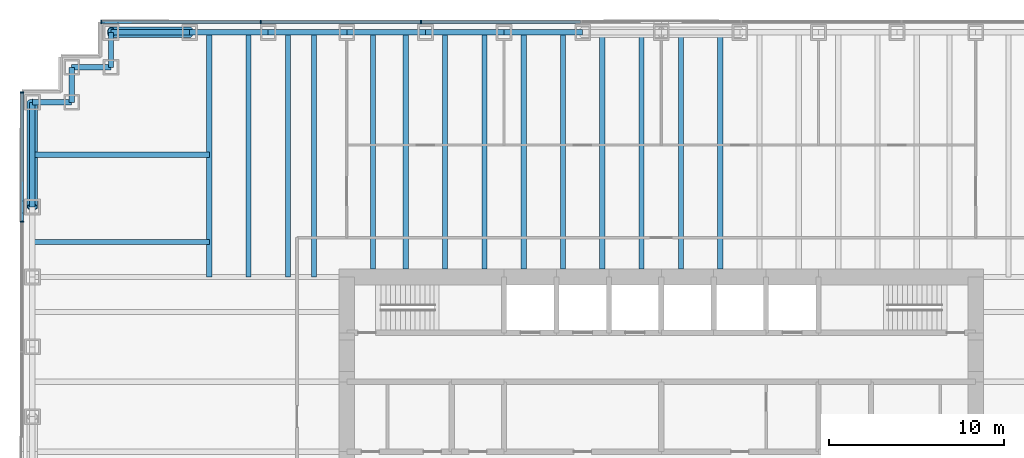
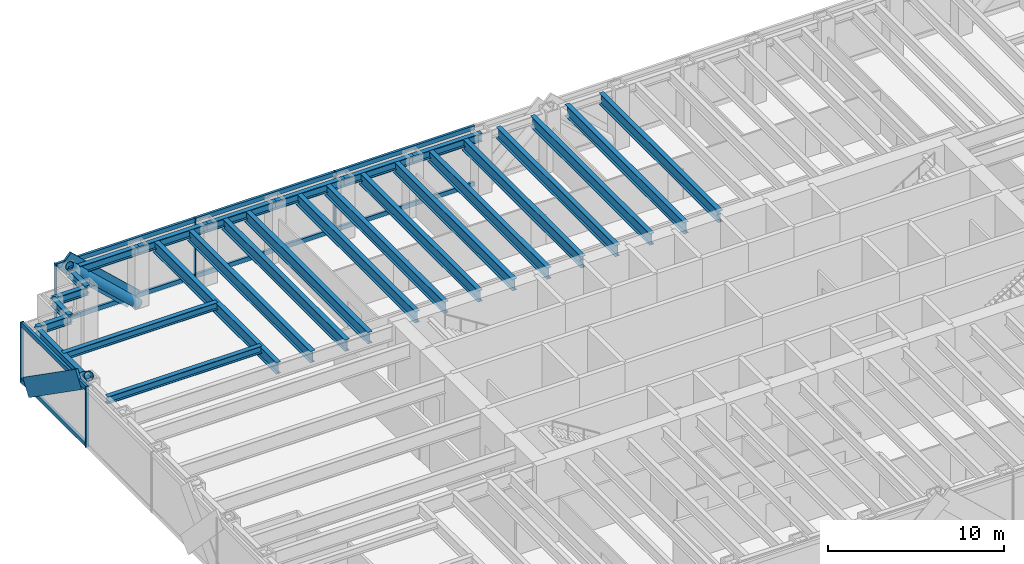
# One storey, part 6 of 17: 27 beams, 17 members, 2 elements without a shape of their own.
"""IFC4 building model written with IfcOpenShell, lengths in metres."""

from ifc_helpers import new_model, si_unit, direction, frame, origin, origin_2d, place, context, subcontext, project, spatial, rectangle, hollow_circle, i_section, extrude, material, material_profile, profile_set, type_object, element, aggregate, save


model = new_model("IFC4")

# Units and contexts
model_context = context("Model", 3, precision=1e-05, world=origin(), true_north=direction((0.0, 1.0)))
body_context = subcontext(model_context, "Body", "Model", "MODEL_VIEW")
ifc_project = project(units=[si_unit("LENGTHUNIT", "METRE"), si_unit("AREAUNIT", "SQUARE_METRE"), si_unit("VOLUMEUNIT", "CUBIC_METRE"), si_unit("PLANEANGLEUNIT", "RADIAN"), si_unit("MASSUNIT", "GRAM", prefix="KILO")], contexts=[model_context])

# Site, building, storey
site_placement = place(None, origin())
site = spatial("IfcSite", under=ifc_project, at=site_placement, CompositionType="ELEMENT")
building_placement = place(site_placement, origin())
building = spatial("IfcBuilding", under=site, at=building_placement, Name="Rheinbord Bourse Tower", CompositionType="ELEMENT")
storey_placement = place(building_placement, frame((0.0, 0.0, 121.5)))
storey = spatial("IfcBuildingStorey", under=building, at=storey_placement, Name="L26", CompositionType="ELEMENT", Elevation=121.5)

# Curtain wall, member
ifc_material_1 = material(Name="Dark glass and black aluminium", Category="aluminium")
curtain_wall_type = type_object("IfcCurtainWallType", Name="CW2 DARK GLASS CURTAIN WALL", PredefinedType="USERDEFINED", material=ifc_material_1)
curtain_wall_1_placement = place(storey_placement, origin())
curtain_wall_1 = element("IfcCurtainWall", 1, at=curtain_wall_1_placement, inside=storey, type_object=curtain_wall_type, Name="Curtain wall CW2 N L26", ObjectType="UNITISED CURTAIN WALL", PredefinedType="USERDEFINED")
ifc_material_2 = material(Name="Black anodised aluminium", Category="aluminium")
ifc_material_profile_1 = material_profile(ifc_material_2, rectangle(XDim=0.159912109375, YDim=1.2099609375, at=origin_2d()), Name="CW2 DIAGONAL MULLION 1210x160")
ifc_profile_set_1 = profile_set([ifc_material_profile_1], Name="Black anodised aluminium")
member_type_1 = type_object("IfcMemberType", Name="CW2 BLACK DIAGONAL MULLION", PredefinedType="USERDEFINED", material=ifc_profile_set_1)
member_1_placement = place(storey_placement, frame((9.0, 46.60009765625, 0.0), z_axis=(-0.73105922506, 0.0, 0.682314010889), x_axis=(0.0, -1.0, 0.0)))
member_1 = element("IfcMember", 2, at=member_1_placement, type_object=member_type_1, Name="CW2 diagonal mullion a", ObjectType="DIAGONAL MULLION", PredefinedType="USERDEFINED", context=body_context, shape_type="SweptSolid", body=[
    extrude(rectangle(XDim=0.159912109375, YDim=1.2099609375, at=origin_2d()), origin(), (0.0, 0.0, 1.0), 6.155517578125),
])

curtain_wall_2_placement = place(storey_placement, origin())
curtain_wall_2 = element("IfcCurtainWall", 3, at=curtain_wall_2_placement, inside=storey, type_object=curtain_wall_type, Name="Curtain wall CW2 W L26", ObjectType="UNITISED CURTAIN WALL", PredefinedType="USERDEFINED")
member_2_placement = place(storey_placement, frame((-0.60009765625, 42.0, 0.0), z_axis=(0.0, -0.819235052632, 0.57345786989), x_axis=(1.0, 0.0, 0.0)))
member_2 = element("IfcMember", 4, at=member_2_placement, type_object=member_type_1, Name="CW2 diagonal mullion a", ObjectType="DIAGONAL MULLION", PredefinedType="USERDEFINED", context=body_context, shape_type="SweptSolid", body=[
    extrude(rectangle(XDim=0.159912109375, YDim=1.2099609375, at=origin_2d()), origin(), (0.0, 0.0, 1.0), 7.323974609375),
])

# Member
ifc_material_3 = material(Name="Black anodised aluminium", Category="aluminium")
ifc_material_profile_2 = material_profile(ifc_material_3, rectangle(XDim=0.219970703125, YDim=0.070068359375, at=origin_2d()), Name="CW2 MULLION 70x220")
ifc_profile_set_2 = profile_set([ifc_material_profile_2], Name="Black anodised aluminium")
member_type_2 = type_object("IfcMemberType", Name="CW2 BLACK MULLION", PredefinedType="MULLION", material=ifc_profile_set_2)
member_3_placement = place(storey_placement, frame((22.242919921875, 46.60009765625, 0.0), z_axis=(0.0, 0.0, 1.0), x_axis=(0.0, -1.0, 0.0)))
member_3 = element("IfcMember", 5, at=member_3_placement, type_object=member_type_2, Name="CW2 mullion 6", PredefinedType="MULLION", context=body_context, shape_type="SweptSolid", body=[
    extrude(rectangle(XDim=0.219970703125, YDim=0.070068359375, at=origin_2d()), origin(), (0.0, 0.0, 1.0), 4.199951171875),
])

member_4_placement = place(storey_placement, frame((13.071533203125, 46.60009765625, 0.0), z_axis=(0.0, 0.0, 1.0), x_axis=(0.0, -1.0, 0.0)))
member_4 = element("IfcMember", 6, at=member_4_placement, type_object=member_type_2, Name="CW2 mullion 7", PredefinedType="MULLION", context=body_context, shape_type="SweptSolid", body=[
    extrude(rectangle(XDim=0.219970703125, YDim=0.070068359375, at=origin_2d()), origin(), (0.0, 0.0, 1.0), 4.199951171875),
])

member_5_placement = place(storey_placement, frame((3.93505859375, 46.60009765625, 0.0), z_axis=(0.0, 0.0, 1.0), x_axis=(0.0, -1.0, 0.0)))
member_5 = element("IfcMember", 7, at=member_5_placement, type_object=member_type_2, Name="CW2 mullion 8", PredefinedType="MULLION", context=body_context, shape_type="SweptSolid", body=[
    extrude(rectangle(XDim=0.219970703125, YDim=0.070068359375, at=origin_2d()), origin(), (0.0, 0.0, 1.0), 4.199951171875),
])

member_6_placement = place(storey_placement, frame((-0.60009765625, 42.56494140625, 0.0), z_axis=(0.0, 0.0, 1.0), x_axis=(1.0, 0.0, 0.0)))
member_6 = element("IfcMember", 8, at=member_6_placement, type_object=member_type_2, Name="CW2 mullion 1", PredefinedType="MULLION", context=body_context, shape_type="SweptSolid", body=[
    extrude(rectangle(XDim=0.219970703125, YDim=0.070068359375, at=origin_2d()), origin(), (0.0, 0.0, 1.0), 4.199951171875),
])

member_7_placement = place(storey_placement, frame((-0.60009765625, 35.159912109375, 0.0), z_axis=(0.0, 0.0, 1.0), x_axis=(1.0, 0.0, 0.0)))
member_7 = element("IfcMember", 9, at=member_7_placement, type_object=member_type_2, Name="CW2 mullion 2", PredefinedType="MULLION", context=body_context, shape_type="SweptSolid", body=[
    extrude(rectangle(XDim=0.219970703125, YDim=0.070068359375, at=origin_2d()), origin(), (0.0, 0.0, 1.0), 4.199951171875),
])

ifc_material_4 = material(Name="Black anodised aluminium", Category="aluminium")
ifc_material_profile_3 = material_profile(ifc_material_4, rectangle(XDim=0.159912109375, YDim=0.300048828125, at=origin_2d()), Name="CW2 TRANSOM 300x160")
ifc_profile_set_3 = profile_set([ifc_material_profile_3], Name="Black anodised aluminium")
member_type_3 = type_object("IfcMemberType", Name="CW2 BLACK TRANSOM", PredefinedType="USERDEFINED", material=ifc_profile_set_3)
member_8_placement = place(storey_placement, frame((31.37939453125, 46.60009765625, 0.14990234375), z_axis=(-1.0, 0.0, 0.0), x_axis=(0.0, -1.0, 0.0)))
member_8 = element("IfcMember", 10, at=member_8_placement, type_object=member_type_3, Name="CW2 transom 5.1", ObjectType="TRANSOM", PredefinedType="USERDEFINED", context=body_context, shape_type="SweptSolid", body=[
    extrude(rectangle(XDim=0.159912109375, YDim=0.300048828125, at=origin_2d()), origin(), (0.0, 0.0, 1.0), 9.1015625),
])

member_9_placement = place(storey_placement, frame((31.37939453125, 46.60009765625, 4.050048828125), z_axis=(-1.0, 0.0, 0.0), x_axis=(0.0, -1.0, 0.0)))
member_9 = element("IfcMember", 11, at=member_9_placement, type_object=member_type_3, Name="CW2 transom 5.2", ObjectType="TRANSOM", PredefinedType="USERDEFINED", context=body_context, shape_type="SweptSolid", body=[
    extrude(rectangle(XDim=0.159912109375, YDim=0.300048828125, at=origin_2d()), origin(), (0.0, 0.0, 1.0), 9.1015625),
])

member_10_placement = place(storey_placement, frame((22.207763671875, 46.60009765625, 0.14990234375), z_axis=(-1.0, 0.0, 0.0), x_axis=(0.0, -1.0, 0.0)))
member_10 = element("IfcMember", 12, at=member_10_placement, type_object=member_type_3, Name="CW2 transom 6.1", ObjectType="TRANSOM", PredefinedType="USERDEFINED", context=body_context, shape_type="SweptSolid", body=[
    extrude(rectangle(XDim=0.159912109375, YDim=0.300048828125, at=origin_2d()), origin(), (0.0, 0.0, 1.0), 9.101318359375),
])

member_11_placement = place(storey_placement, frame((22.207763671875, 46.60009765625, 4.050048828125), z_axis=(-1.0, 0.0, 0.0), x_axis=(0.0, -1.0, 0.0)))
member_11 = element("IfcMember", 13, at=member_11_placement, type_object=member_type_3, Name="CW2 transom 6.2", ObjectType="TRANSOM", PredefinedType="USERDEFINED", context=body_context, shape_type="SweptSolid", body=[
    extrude(rectangle(XDim=0.159912109375, YDim=0.300048828125, at=origin_2d()), origin(), (0.0, 0.0, 1.0), 9.101318359375),
])

member_12_placement = place(storey_placement, frame((13.036376953125, 46.60009765625, 0.14990234375), z_axis=(-1.0, 0.0, 0.0), x_axis=(0.0, -1.0, 0.0)))
member_12 = element("IfcMember", 14, at=member_12_placement, type_object=member_type_3, Name="CW2 transom 7.1", ObjectType="TRANSOM", PredefinedType="USERDEFINED", context=body_context, shape_type="SweptSolid", body=[
    extrude(rectangle(XDim=0.159912109375, YDim=0.300048828125, at=origin_2d()), origin(), (0.0, 0.0, 1.0), 9.06640625),
])

member_13_placement = place(storey_placement, frame((13.036376953125, 46.60009765625, 4.050048828125), z_axis=(-1.0, 0.0, 0.0), x_axis=(0.0, -1.0, 0.0)))
member_13 = element("IfcMember", 15, at=member_13_placement, type_object=member_type_3, Name="CW2 transom 7.2", ObjectType="TRANSOM", PredefinedType="USERDEFINED", context=body_context, shape_type="SweptSolid", body=[
    extrude(rectangle(XDim=0.159912109375, YDim=0.300048828125, at=origin_2d()), origin(), (0.0, 0.0, 1.0), 9.06640625),
])

aggregate(curtain_wall_1, [member_3, member_4, member_5, member_8, member_9, member_10, member_11, member_12, member_13, member_1])

member_14_placement = place(storey_placement, frame((-0.60009765625, 42.530029296875, 0.14990234375), z_axis=(0.0, -1.0, 0.0), x_axis=(1.0, 0.0, 0.0)))
member_14 = element("IfcMember", 16, at=member_14_placement, type_object=member_type_3, Name="CW2 transom 1.1", ObjectType="TRANSOM", PredefinedType="USERDEFINED", context=body_context, shape_type="SweptSolid", body=[
    extrude(rectangle(XDim=0.159912109375, YDim=0.300048828125, at=origin_2d()), origin(), (0.0, 0.0, 1.0), 7.3349609375),
])

member_15_placement = place(storey_placement, frame((-0.60009765625, 42.530029296875, 4.050048828125), z_axis=(0.0, -1.0, 0.0), x_axis=(1.0, 0.0, 0.0)))
member_15 = element("IfcMember", 17, at=member_15_placement, type_object=member_type_3, Name="CW2 transom 1.2", ObjectType="TRANSOM", PredefinedType="USERDEFINED", context=body_context, shape_type="SweptSolid", body=[
    extrude(rectangle(XDim=0.159912109375, YDim=0.300048828125, at=origin_2d()), origin(), (0.0, 0.0, 1.0), 7.3349609375),
])

aggregate(curtain_wall_2, [member_6, member_7, member_14, member_15, member_2])

# Beams
ifc_material_5 = material(Name="Steel S460", Category="steel")
ifc_material_profile_4 = material_profile(ifc_material_5, i_section(OverallWidth=0.300048828125, OverallDepth=0.800048828125, WebThickness=0.017578125, FlangeThickness=0.032958984375, at=origin_2d()), Name="HEB 800")
ifc_profile_set_4 = profile_set([ifc_material_profile_4], Name="Steel S460")
beam_type_1 = type_object("IfcBeamType", Name="FLOOR BEAM HEB 800", PredefinedType="BEAM", material=ifc_profile_set_4)
for number, where, z_axis, x_axis, name in (
    (18, (10.125, 46.0, 3.639892578125), (0.0, -1.0, 0.0), (1.0, 0.0, 0.0), "Floor beam N-9a L27"),
    (19, (12.375, 46.0, 3.639892578125), (0.0, -1.0, 0.0), (1.0, 0.0, 0.0), "Floor beam N-9b L27"),
    (20, (14.625, 46.0, 3.639892578125), (0.0, -1.0, 0.0), (1.0, 0.0, 0.0), "Floor beam N-13.5a L27"),
    (21, (16.125, 46.0, 3.639892578125), (0.0, -1.0, 0.0), (1.0, 0.0, 0.0), "Floor beam N-13.5b L27"),
):
    element("IfcBeam", number, at=place(storey_placement, frame(where, z_axis=z_axis, x_axis=x_axis)), inside=storey, type_object=beam_type_1, Name=name, PredefinedType="BEAM", context=body_context, shape_type="SweptSolid", body=[
        extrude(i_section(OverallWidth=0.300048828125, OverallDepth=0.800048828125, WebThickness=0.017578125, FlangeThickness=0.032958984375, at=origin_2d()), origin(), (0.0, 0.0, 1.0), 14.0),
    ])
for number, where, z_axis, x_axis, name in (
    (22, (19.5, 46.0, 3.639892578125), (0.0, -1.0, 0.0), (1.0, 0.0, 0.0), "Floor beam N-18a L27"),
    (23, (21.375, 46.0, 3.639892578125), (0.0, -1.0, 0.0), (1.0, 0.0, 0.0), "Floor beam N-18b L27"),
    (24, (23.625, 46.0, 3.639892578125), (0.0, -1.0, 0.0), (1.0, 0.0, 0.0), "Floor beam N-22.5a L27"),
    (25, (25.875, 46.0, 3.639892578125), (0.0, -1.0, 0.0), (1.0, 0.0, 0.0), "Floor beam N-22.5b L27"),
    (26, (28.125, 46.0, 3.639892578125), (0.0, -1.0, 0.0), (1.0, 0.0, 0.0), "Floor beam N-27a L27"),
    (27, (30.375, 46.0, 3.639892578125), (0.0, -1.0, 0.0), (1.0, 0.0, 0.0), "Floor beam N-27b L27"),
    (28, (32.625, 46.0, 3.639892578125), (0.0, -1.0, 0.0), (1.0, 0.0, 0.0), "Floor beam N-31.5a L27"),
    (29, (34.875, 46.0, 3.639892578125), (0.0, -1.0, 0.0), (1.0, 0.0, 0.0), "Floor beam N-31.5b L27"),
    (30, (37.125, 46.0, 3.639892578125), (0.0, -1.0, 0.0), (1.0, 0.0, 0.0), "Floor beam N-36a L27"),
    (31, (39.375, 46.0, 3.639892578125), (0.0, -1.0, 0.0), (1.0, 0.0, 0.0), "Floor beam N-36b L27"),
):
    element("IfcBeam", number, at=place(storey_placement, frame(where, z_axis=z_axis, x_axis=x_axis)), inside=storey, type_object=beam_type_1, Name=name, PredefinedType="BEAM", context=body_context, shape_type="SweptSolid", body=[
        extrude(i_section(OverallWidth=0.300048828125, OverallDepth=0.800048828125, WebThickness=0.017578125, FlangeThickness=0.032958984375, at=origin_2d()), origin(), (0.0, 0.0, 1.0), 13.550048828125),
    ])

# Members
ifc_material_6 = material(Name="Steel S460", Category="steel")
ifc_material_profile_5 = material_profile(ifc_material_6, hollow_circle(Radius=0.304931640625, WallThickness=0.0400390625, at=origin_2d()), Name="CHS 610x40")
ifc_profile_set_5 = profile_set([ifc_material_profile_5], Name="Steel S460")
member_type_4 = type_object("IfcMemberType", Name="MEGABRACE CHS 610x40", PredefinedType="BRACE", material=ifc_profile_set_5)
member_16_placement = place(storey_placement, frame((9.0, 46.0, 0.0), z_axis=(-0.73105922506, 0.0, 0.682314010889), x_axis=(0.0, -1.0, 0.0)))
element("IfcMember", 32, at=member_16_placement, inside=storey, type_object=member_type_4, Name="Megabrace N face line a L26", PredefinedType="BRACE", context=body_context, shape_type="SweptSolid", body=[
    extrude(hollow_circle(Radius=0.304931640625, WallThickness=0.0400390625, at=origin_2d()), origin(), (0.0, 0.0, 1.0), 6.155517578125),
])
member_17_placement = place(storey_placement, frame((0.0, 42.0, 0.0), z_axis=(0.0, -0.819235052632, 0.57345786989), x_axis=(1.0, 0.0, 0.0)))
element("IfcMember", 33, at=member_17_placement, inside=storey, type_object=member_type_4, Name="Megabrace W face line a L26", PredefinedType="BRACE", context=body_context, shape_type="SweptSolid", body=[
    extrude(hollow_circle(Radius=0.304931640625, WallThickness=0.0400390625, at=origin_2d()), origin(), (0.0, 0.0, 1.0), 7.323974609375),
])

# Beams
ifc_material_7 = material(Name="Steel S460", Category="steel")
ifc_material_profile_6 = material_profile(ifc_material_7, i_section(OverallWidth=0.305908203125, OverallDepth=0.572021484375, WebThickness=0.02099609375, FlangeThickness=0.0400390625, at=origin_2d()), Name="HEM 550")
ifc_profile_set_6 = profile_set([ifc_material_profile_6], Name="Steel S460")
beam_type_2 = type_object("IfcBeamType", Name="SPANDREL HEM 550", PredefinedType="SPANDREL", material=ifc_profile_set_6)
for number, where, z_axis, x_axis, name in (
    (34, (31.5, 46.0, 3.75390625), (-1.0, 0.0, 0.0), (0.0, -1.0, 0.0), "Spandrel N-31.5-N-27 under L27"),
    (35, (27.0, 46.0, 3.75390625), (-1.0, 0.0, 0.0), (0.0, -1.0, 0.0), "Spandrel N-27-N-22.5 under L27"),
    (36, (22.5, 46.0, 3.75390625), (-1.0, 0.0, 0.0), (0.0, -1.0, 0.0), "Spandrel N-22.5-N-18 under L27"),
    (37, (18.0, 46.0, 3.75390625), (-1.0, 0.0, 0.0), (0.0, -1.0, 0.0), "Spandrel N-18-N-13.5 under L27"),
    (38, (13.5, 46.0, 3.75390625), (-1.0, 0.0, 0.0), (0.0, -1.0, 0.0), "Spandrel N-13.5-N-9 under L27"),
    (39, (9.0, 46.0, 3.75390625), (-1.0, 0.0, 0.0), (0.0, -1.0, 0.0), "Spandrel N-9-NW-E under L27"),
):
    element("IfcBeam", number, at=place(storey_placement, frame(where, z_axis=z_axis, x_axis=x_axis)), inside=storey, type_object=beam_type_2, Name=name, PredefinedType="SPANDREL", context=body_context, shape_type="SweptSolid", body=[
        extrude(i_section(OverallWidth=0.305908203125, OverallDepth=0.572021484375, WebThickness=0.02099609375, FlangeThickness=0.0400390625, at=origin_2d()), origin(), (0.0, 0.0, 1.0), 4.5),
    ])
beam_1_placement = place(storey_placement, frame((4.5, 46.0, 3.75390625), z_axis=(0.0, -1.0, 0.0), x_axis=(1.0, 0.0, 0.0)))
element("IfcBeam", 40, at=beam_1_placement, inside=storey, type_object=beam_type_2, Name="Spandrel NW-E-NW-D under L27", PredefinedType="SPANDREL", context=body_context, shape_type="SweptSolid", body=[
    extrude(i_section(OverallWidth=0.305908203125, OverallDepth=0.572021484375, WebThickness=0.02099609375, FlangeThickness=0.0400390625, at=origin_2d()), origin(), (0.0, 0.0, 1.0), 2.0),
])
beam_2_placement = place(storey_placement, frame((4.5, 44.0, 3.75390625), z_axis=(-1.0, 0.0, 0.0), x_axis=(0.0, -1.0, 0.0)))
element("IfcBeam", 41, at=beam_2_placement, inside=storey, type_object=beam_type_2, Name="Spandrel NW-D-NW-C under L27", PredefinedType="SPANDREL", context=body_context, shape_type="SweptSolid", body=[
    extrude(i_section(OverallWidth=0.305908203125, OverallDepth=0.572021484375, WebThickness=0.02099609375, FlangeThickness=0.0400390625, at=origin_2d()), origin(), (0.0, 0.0, 1.0), 2.25),
])
beam_3_placement = place(storey_placement, frame((2.25, 44.0, 3.75390625), z_axis=(0.0, -1.0, 0.0), x_axis=(1.0, 0.0, 0.0)))
element("IfcBeam", 42, at=beam_3_placement, inside=storey, type_object=beam_type_2, Name="Spandrel NW-C-NW-B under L27", PredefinedType="SPANDREL", context=body_context, shape_type="SweptSolid", body=[
    extrude(i_section(OverallWidth=0.305908203125, OverallDepth=0.572021484375, WebThickness=0.02099609375, FlangeThickness=0.0400390625, at=origin_2d()), origin(), (0.0, 0.0, 1.0), 2.0),
])
beam_4_placement = place(storey_placement, frame((2.25, 42.0, 3.75390625), z_axis=(-1.0, 0.0, 0.0), x_axis=(0.0, -1.0, 0.0)))
element("IfcBeam", 43, at=beam_4_placement, inside=storey, type_object=beam_type_2, Name="Spandrel NW-B-NW-A under L27", PredefinedType="SPANDREL", context=body_context, shape_type="SweptSolid", body=[
    extrude(i_section(OverallWidth=0.305908203125, OverallDepth=0.572021484375, WebThickness=0.02099609375, FlangeThickness=0.0400390625, at=origin_2d()), origin(), (0.0, 0.0, 1.0), 2.25),
])
beam_5_placement = place(storey_placement, frame((0.0, 42.0, 3.75390625), z_axis=(0.0, -1.0, 0.0), x_axis=(1.0, 0.0, 0.0)))
element("IfcBeam", 44, at=beam_5_placement, inside=storey, type_object=beam_type_2, Name="Spandrel NW-A-W-36 under L27", PredefinedType="SPANDREL", context=body_context, shape_type="SweptSolid", body=[
    extrude(i_section(OverallWidth=0.305908203125, OverallDepth=0.572021484375, WebThickness=0.02099609375, FlangeThickness=0.0400390625, at=origin_2d()), origin(), (0.0, 0.0, 1.0), 6.0),
])
ifc_material_8 = material(Name="Steel S460", Category="steel")
ifc_material_profile_7 = material_profile(ifc_material_8, i_section(OverallWidth=0.300048828125, OverallDepth=0.5, WebThickness=0.014404296875, FlangeThickness=0.028076171875, at=origin_2d()), Name="HEB 500")
ifc_profile_set_7 = profile_set([ifc_material_profile_7], Name="Steel S460")
beam_type_3 = type_object("IfcBeamType", Name="TIE BEAM HEB 500", PredefinedType="JOIST", material=ifc_profile_set_7)
for number, where, z_axis, x_axis, name in (
    (45, (0.0, 34.0, 3.7900390625), (1.0, 0.0, 0.0), (0.0, 1.0, 0.0), "Tie west 34 L27"),
    (46, (0.0, 39.0, 3.7900390625), (1.0, 0.0, 0.0), (0.0, 1.0, 0.0), "Tie west 39 L27"),
):
    element("IfcBeam", number, at=place(storey_placement, frame(where, z_axis=z_axis, x_axis=x_axis)), inside=storey, type_object=beam_type_3, Name=name, PredefinedType="JOIST", context=body_context, shape_type="SweptSolid", body=[
        extrude(i_section(OverallWidth=0.300048828125, OverallDepth=0.5, WebThickness=0.014404296875, FlangeThickness=0.028076171875, at=origin_2d()), origin(), (0.0, 0.0, 1.0), 10.125),
    ])

save(model, "model.ifc")
